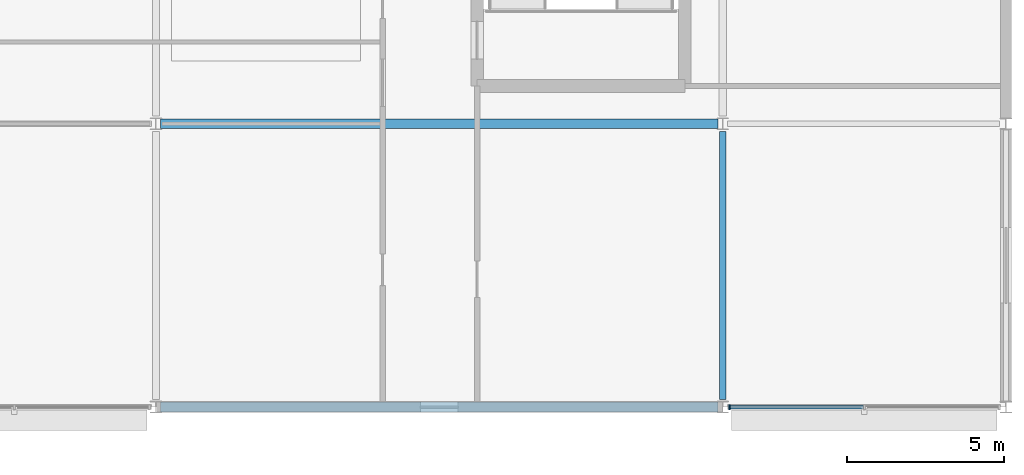
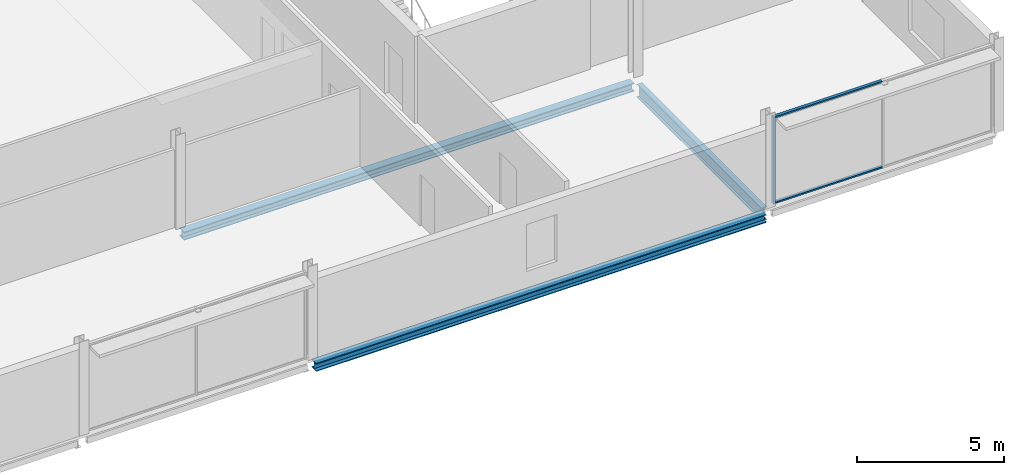
# One storey, part 43 of 98: 3 beams, 3 members, 1 element without a shape of its own.
"""IFC4 building model written with IfcOpenShell, lengths in metres."""

from ifc_helpers import new_model, si_unit, direction, frame, origin, origin_2d, place, context, subcontext, project, spatial, rectangle, i_section, extrude, material, layer, layer_set, material_profile, profile_set, type_object, element, aggregate, save


model = new_model("IFC4")

# Units and contexts
model_context = context("Model", 3, precision=1e-05, world=origin(), true_north=direction((0.0, 1.0)))
body_context = subcontext(model_context, "Body", "Model", "MODEL_VIEW")
ifc_project = project(units=[si_unit("LENGTHUNIT", "METRE"), si_unit("AREAUNIT", "SQUARE_METRE"), si_unit("VOLUMEUNIT", "CUBIC_METRE"), si_unit("PLANEANGLEUNIT", "RADIAN"), si_unit("MASSUNIT", "GRAM", prefix="KILO")], contexts=[model_context])

# Site, building, storey
site_placement = place(None, origin())
site = spatial("IfcSite", under=ifc_project, at=site_placement, CompositionType="ELEMENT")
building_placement = place(site_placement, origin())
building = spatial("IfcBuilding", under=site, at=building_placement, Name="Kisiwana Market Hall", CompositionType="ELEMENT")
storey_placement = place(building_placement, frame((0.0, 0.0, 29.39990234375)))
storey = spatial("IfcBuildingStorey", under=building, at=storey_placement, Name="L06", CompositionType="ELEMENT", Elevation=29.39990234375)

# Beams
ifc_material_1 = material(Name="Steel S355", Category="steel")
ifc_material_profile_1 = material_profile(ifc_material_1, i_section(OverallWidth=0.209228515625, OverallDepth=0.533203125, WebThickness=0.010009765625, FlangeThickness=0.015625, at=origin_2d()), Name="UB 533x210x92")
ifc_profile_set_1 = profile_set([ifc_material_profile_1], Name="Steel S355")
beam_type_1 = type_object("IfcBeamType", Name="BM-GIRD-UB533", PredefinedType="BEAM", material=ifc_profile_set_1)
beam_placement = place(storey_placement, frame((189.0, 9.24609375, -0.511474609375), z_axis=(0.0, 1.0, 0.0), x_axis=(-1.0, 0.0, 0.0)))
element("IfcBeam", 1, at=beam_placement, inside=storey, type_object=beam_type_1, Name="Primary girder B-1741", PredefinedType="BEAM", context=body_context, shape_type="SweptSolid", body=[
    extrude(i_section(OverallWidth=0.209228515625, OverallDepth=0.533203125, WebThickness=0.010009765625, FlangeThickness=0.015625, at=origin_2d()), origin(), (0.0, 0.0, 1.0), 8.5078125),
])
ifc_material_2 = material(Name="Steel S355", Category="steel")
ifc_material_profile_2 = material_profile(ifc_material_2, i_section(OverallWidth=0.314453125, OverallDepth=0.33984375, WebThickness=0.01904296875, FlangeThickness=0.031494140625, at=origin_2d()), Name="UC 305x305x198")
ifc_profile_set_2 = profile_set([ifc_material_profile_2], Name="Steel S355")
beam_type_2 = type_object("IfcBeamType", Name="BM-SKYBR-CHORD", PredefinedType="BEAM", material=ifc_profile_set_2)
for number, where, z_axis, x_axis, name in (
    (2, (171.14599609375, 9.0, -0.414794921875), (1.0, 0.0, 0.0), (0.0, 1.0, 0.0), "Floor beam B-1781"),
    (3, (171.14599609375, 18.0, -0.414794921875), (1.0, 0.0, 0.0), (0.0, 1.0, 0.0), "Floor beam B-1795"),
):
    element("IfcBeam", number, at=place(storey_placement, frame(where, z_axis=z_axis, x_axis=x_axis)), inside=storey, type_object=beam_type_2, Name=name, PredefinedType="BEAM", context=body_context, shape_type="SweptSolid", body=[
        extrude(i_section(OverallWidth=0.314453125, OverallDepth=0.33984375, WebThickness=0.01904296875, FlangeThickness=0.031494140625, at=origin_2d()), origin(), (0.0, 0.0, 1.0), 17.7080078125),
    ])

# Curtain wall, members
ifc_material_3 = material(Name="Double-glazed solar-control low-E IGU", Category="glass")
ifc_layer = layer(ifc_material_3, 0.159912109375)
ifc_layer_set = layer_set([ifc_layer], Name="CW-ZNA-EW-8200")
curtain_wall_type = type_object("IfcCurtainWallType", Name="CW-ZNA-EW-8200", PredefinedType="USERDEFINED", material=ifc_layer_set)
curtain_wall_placement = place(storey_placement, origin())
curtain_wall = element("IfcCurtainWall", 4, at=curtain_wall_placement, inside=storey, type_object=curtain_wall_type, Name="Unitised curtain wall CW-171 (L06)", ObjectType="UNITISED CURTAIN WALL", PredefinedType="USERDEFINED")
ifc_material_4 = material(Name="Aluminium alloy 6063-T6", Category="aluminium")
ifc_material_profile_3 = material_profile(ifc_material_4, rectangle(XDim=0.06005859375, YDim=0.159912109375, at=origin_2d()), Name="ALU MULLION 60x160")
ifc_profile_set_3 = profile_set([ifc_material_profile_3], Name="Aluminium alloy 6063-T6")
member_type_1 = type_object("IfcMemberType", Name="CW-MULL-60x160", PredefinedType="MULLION", material=ifc_profile_set_3)
member_1_placement = place(storey_placement, frame((189.21728515625, 9.0, 0.0), z_axis=(0.0, 0.0, 1.0), x_axis=(1.0, 0.0, 0.0)))
member_1 = element("IfcMember", 5, at=member_1_placement, type_object=member_type_1, Name="CW-171 mullion 1", PredefinedType="MULLION", context=body_context, shape_type="SweptSolid", body=[
    extrude(rectangle(XDim=0.06005859375, YDim=0.159912109375, at=origin_2d()), origin(), (0.0, 0.0, 1.0), 3.6201171875),
])
ifc_material_5 = material(Name="Aluminium alloy 6063-T6", Category="aluminium")
ifc_material_profile_4 = material_profile(ifc_material_5, rectangle(XDim=0.1201171875, YDim=0.06005859375, at=origin_2d()), Name="ALU TRANSOM 60x120")
ifc_profile_set_4 = profile_set([ifc_material_profile_4], Name="Aluminium alloy 6063-T6")
member_type_2 = type_object("IfcMemberType", Name="CW-TRAN-60x120", PredefinedType="USERDEFINED", material=ifc_profile_set_4)
member_2_placement = place(storey_placement, frame((189.247314453125, 9.0, 0.030029296875), z_axis=(1.0, 0.0, 0.0), x_axis=(0.0, 1.0, 0.0)))
member_2 = element("IfcMember", 6, at=member_2_placement, type_object=member_type_2, Name="CW-171 transom 1.1", ObjectType="TRANSOM", PredefinedType="USERDEFINED", context=body_context, shape_type="SweptSolid", body=[
    extrude(rectangle(XDim=0.1201171875, YDim=0.06005859375, at=origin_2d()), origin(), (0.0, 0.0, 1.0), 4.223876953125),
])
member_3_placement = place(storey_placement, frame((189.247314453125, 9.0, 3.590087890625), z_axis=(1.0, 0.0, 0.0), x_axis=(0.0, 1.0, 0.0)))
member_3 = element("IfcMember", 7, at=member_3_placement, type_object=member_type_2, Name="CW-171 transom 1.2", ObjectType="TRANSOM", PredefinedType="USERDEFINED", context=body_context, shape_type="SweptSolid", body=[
    extrude(rectangle(XDim=0.1201171875, YDim=0.06005859375, at=origin_2d()), origin(), (0.0, 0.0, 1.0), 4.223876953125),
])
aggregate(curtain_wall, [member_1, member_2, member_3])

save(model, "model.ifc")
